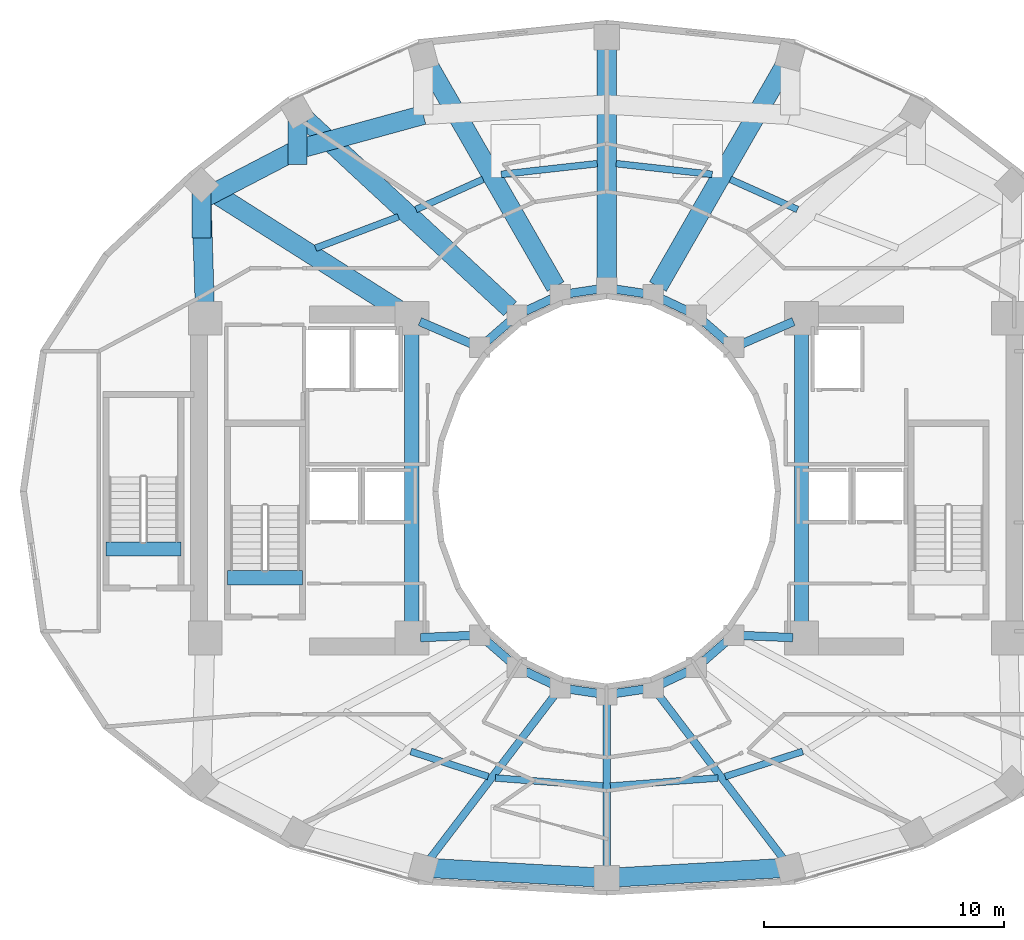
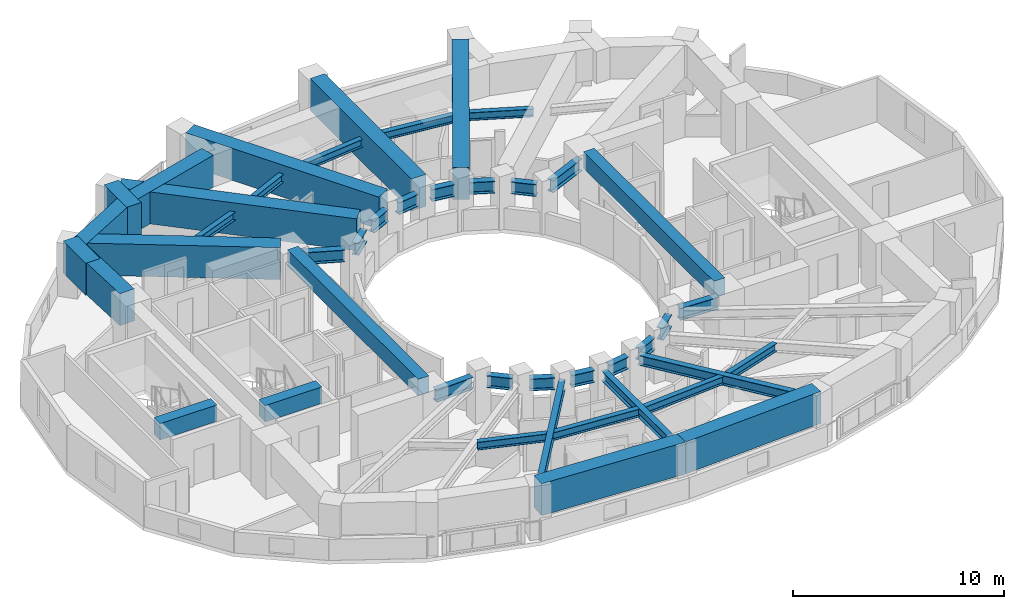
# One storey, part 3 of 16: 44 beams.
"""IFC4 building model written with IfcOpenShell, lengths in metres."""

from ifc_helpers import new_model, si_unit, direction, frame, origin, origin_2d, place, context, subcontext, project, spatial, rectangle, i_section, extrude, material, material_profile, profile_set, type_object, element, save


model = new_model("IFC4")

# Units and contexts
model_context = context("Model", 3, precision=1e-05, world=origin(), true_north=direction((0.0, 1.0)))
body_context = subcontext(model_context, "Body", "Model", "MODEL_VIEW")
ifc_project = project(units=[si_unit("LENGTHUNIT", "METRE"), si_unit("AREAUNIT", "SQUARE_METRE"), si_unit("VOLUMEUNIT", "CUBIC_METRE"), si_unit("PLANEANGLEUNIT", "RADIAN"), si_unit("MASSUNIT", "GRAM", prefix="KILO")], contexts=[model_context])

# Site, building, storey
site_placement = place(None, origin())
site = spatial("IfcSite", under=ifc_project, at=site_placement, CompositionType="ELEMENT")
building_placement = place(site_placement, origin())
building = spatial("IfcBuilding", under=site, at=building_placement, Name="Solvane Sanctuary Tower", CompositionType="ELEMENT")
storey_placement = place(building_placement, frame((0.0, 0.0, 119.699951171875)))
storey = spatial("IfcBuildingStorey", under=building, at=storey_placement, Name="L36", CompositionType="ELEMENT", Elevation=119.699951171875)

# Beams
ifc_material_1 = material(Name="Concrete C70/85", Category="concrete")
ifc_material_profile_1 = material_profile(ifc_material_1, rectangle(XDim=0.60009765625, YDim=0.949951171875, at=origin_2d()), Name="RC600X950")
ifc_profile_set_1 = profile_set([ifc_material_profile_1], Name="Concrete C70/85")
beam_type_1 = type_object("IfcBeamType", Name="Beam B-COUPLE RC600X950", PredefinedType="LINTEL", material=ifc_profile_set_1)
for number, where, z_axis, x_axis, name in (
    (1, (23.89990234375, 17.35009765625, 2.625), (0.0, 1.0, 0.0), (-1.0, 0.0, 0.0), "L36 West Core Coupling Lintel"),
    (2, (40.10009765625, 17.35009765625, 2.625), (0.0, 1.0, 0.0), (-1.0, 0.0, 0.0), "L36 East Core Coupling Lintel"),
):
    element("IfcBeam", number, at=place(storey_placement, frame(where, z_axis=z_axis, x_axis=x_axis)), inside=storey, type_object=beam_type_1, Name=name, PredefinedType="LINTEL", context=body_context, shape_type="SweptSolid", body=[
        extrude(rectangle(XDim=0.60009765625, YDim=0.949951171875, at=origin_2d()), origin(), (0.0, 0.0, 1.0), 12.39990234375),
    ])
for number, where, z_axis, x_axis, name in (
    (3, (16.22998046875, 19.399169921875, 2.625), (1.0, 0.0, 0.0), (0.0, 1.0, 0.0), "L36 ST-1 Stair Floor Landing Trimmer"),
    (4, (11.169921875, 20.59912109375, 2.625), (1.0, 0.0, 0.0), (0.0, 1.0, 0.0), "L36 ST-3 Stair Floor Landing Trimmer"),
):
    element("IfcBeam", number, at=place(storey_placement, frame(where, z_axis=z_axis, x_axis=x_axis)), inside=storey, type_object=beam_type_1, Name=name, PredefinedType="LINTEL", context=body_context, shape_type="SweptSolid", body=[
        extrude(rectangle(XDim=0.60009765625, YDim=0.949951171875, at=origin_2d()), origin(), (0.0, 0.0, 1.0), 3.1201171875),
    ])
ifc_material_2 = material(Name="Steel ASTM A992 Grade 50", Category="steel")
ifc_material_profile_2 = material_profile(ifc_material_2, i_section(OverallWidth=0.31494140625, OverallDepth=0.575927734375, WebThickness=0.01513671875, FlangeThickness=0.0244140625, FilletRadius=0.014892578125, at=origin_2d()), Name="W21X122")
ifc_profile_set_2 = profile_set([ifc_material_profile_2], Name="Steel ASTM A992 Grade 50")
beam_type_2 = type_object("IfcBeamType", Name="Beam B-RAD-Z2 W21X122", PredefinedType="BEAM", material=ifc_profile_set_2)
beam_1_placement = place(storey_placement, frame((29.8994140625, 14.605712890625, 2.31005859375), z_axis=(-0.605972515369, -0.795485581653, 0.0), x_axis=(0.795485581653, -0.605972515369, 0.0)))
element("IfcBeam", 5, at=beam_1_placement, inside=storey, type_object=beam_type_2, Name="L36 Radial Composite Floor Beam 10", PredefinedType="BEAM", context=body_context, shape_type="SweptSolid", body=[
    extrude(i_section(OverallWidth=0.31494140625, OverallDepth=0.575927734375, WebThickness=0.01513671875, FlangeThickness=0.0244140625, FilletRadius=0.014892578125, at=origin_2d()), origin(), (0.0, 0.0, 1.0), 8.84375),
])
beam_2_placement = place(storey_placement, frame((32.0, 14.260009765625, 2.31005859375), z_axis=(0.0, -1.0, 0.0), x_axis=(1.0, 0.0, 0.0)))
element("IfcBeam", 6, at=beam_2_placement, inside=storey, type_object=beam_type_2, Name="L36 Radial Composite Floor Beam 11", PredefinedType="BEAM", context=body_context, shape_type="SweptSolid", body=[
    extrude(i_section(OverallWidth=0.31494140625, OverallDepth=0.575927734375, WebThickness=0.01513671875, FlangeThickness=0.0244140625, FilletRadius=0.014892578125, at=origin_2d()), origin(), (0.0, 0.0, 1.0), 7.06005859375),
])
beam_3_placement = place(storey_placement, frame((34.1005859375, 14.605712890625, 2.31005859375), z_axis=(0.605972515369, -0.795485581653, 0.0), x_axis=(0.795485581653, 0.605972515369, 0.0)))
element("IfcBeam", 7, at=beam_3_placement, inside=storey, type_object=beam_type_2, Name="L36 Radial Composite Floor Beam 12", PredefinedType="BEAM", context=body_context, shape_type="SweptSolid", body=[
    extrude(i_section(OverallWidth=0.31494140625, OverallDepth=0.575927734375, WebThickness=0.01513671875, FlangeThickness=0.0244140625, FilletRadius=0.014892578125, at=origin_2d()), origin(), (0.0, 0.0, 1.0), 8.84375),
])
ifc_material_profile_3 = material_profile(ifc_material_2, i_section(OverallWidth=0.35498046875, OverallDepth=0.695068359375, WebThickness=0.015380859375, FlangeThickness=0.02490234375, FilletRadius=0.01806640625, at=origin_2d()), Name="W27X146")
ifc_profile_set_3 = profile_set([ifc_material_profile_3], Name="Steel ASTM A992 Grade 50")
beam_type_3 = type_object("IfcBeamType", Name="Beam B-RING-IN1 W27X146", PredefinedType="BEAM", material=ifc_profile_set_3)
beam_4_placement = place(storey_placement, frame((24.230712890625, 30.0576171875, 2.25048828125), z_axis=(0.918261456479, -0.3959746173, 0.0), x_axis=(0.3959746173, 0.918261456479, 0.0)))
element("IfcBeam", 8, at=beam_4_placement, inside=storey, type_object=beam_type_3, Name="L36 Inner Light-Well Ring Beam CW3-IC07", PredefinedType="BEAM", context=body_context, shape_type="SweptSolid", body=[
    extrude(i_section(OverallWidth=0.35498046875, OverallDepth=0.695068359375, WebThickness=0.015380859375, FlangeThickness=0.02490234375, FilletRadius=0.01806640625, at=origin_2d()), origin(), (0.0, 0.0, 1.0), 2.3212890625),
])
beam_5_placement = place(storey_placement, frame((27.02294921875, 29.241455078125, 2.25048828125), z_axis=(0.754317177099, 0.656510164684, 0.0), x_axis=(-0.656510164684, 0.754317177099, 0.0)))
element("IfcBeam", 9, at=beam_5_placement, inside=storey, type_object=beam_type_3, Name="L36 Inner Light-Well Ring Beam IC07-IC06", PredefinedType="BEAM", context=body_context, shape_type="SweptSolid", body=[
    extrude(i_section(OverallWidth=0.35498046875, OverallDepth=0.695068359375, WebThickness=0.015380859375, FlangeThickness=0.02490234375, FilletRadius=0.01806640625, at=origin_2d()), origin(), (0.0, 0.0, 1.0), 1.258056640625),
])
beam_6_placement = place(storey_placement, frame((28.62744140625, 30.494384765625, 2.25048828125), z_axis=(0.905044882818, 0.425316070804, 0.0), x_axis=(-0.425316070804, 0.905044882818, 0.0)))
element("IfcBeam", 10, at=beam_6_placement, inside=storey, type_object=beam_type_3, Name="L36 Inner Light-Well Ring Beam IC06-IC05", PredefinedType="BEAM", context=body_context, shape_type="SweptSolid", body=[
    extrude(i_section(OverallWidth=0.35498046875, OverallDepth=0.695068359375, WebThickness=0.015380859375, FlangeThickness=0.02490234375, FilletRadius=0.01806640625, at=origin_2d()), origin(), (0.0, 0.0, 1.0), 1.197998046875),
])
for number, where, z_axis, x_axis, name in (
    (11, (30.4599609375, 31.22998046875, 2.25048828125), (0.989034751611, 0.147682971619, 0.0), (-0.147682971619, 0.989034751611, 0.0), "L36 Inner Light-Well Ring Beam IC05-IC04"),
    (12, (32.390625, 31.401611328125, 2.25048828125), (0.989034751611, -0.147682971619, 0.0), (0.147682971619, 0.989034751611, 0.0), "L36 Inner Light-Well Ring Beam IC04-IC03"),
):
    element("IfcBeam", number, at=place(storey_placement, frame(where, z_axis=z_axis, x_axis=x_axis)), inside=storey, type_object=beam_type_3, Name=name, PredefinedType="BEAM", context=body_context, shape_type="SweptSolid", body=[
        extrude(i_section(OverallWidth=0.35498046875, OverallDepth=0.695068359375, WebThickness=0.015380859375, FlangeThickness=0.02490234375, FilletRadius=0.01806640625, at=origin_2d()), origin(), (0.0, 0.0, 1.0), 1.162109375),
    ])
beam_7_placement = place(storey_placement, frame((34.288330078125, 31.00390625, 2.25048828125), z_axis=(0.905044882818, -0.425316070804, 0.0), x_axis=(0.425316070804, 0.905044882818, 0.0)))
element("IfcBeam", 13, at=beam_7_placement, inside=storey, type_object=beam_type_3, Name="L36 Inner Light-Well Ring Beam IC03-IC02", PredefinedType="BEAM", context=body_context, shape_type="SweptSolid", body=[
    extrude(i_section(OverallWidth=0.35498046875, OverallDepth=0.695068359375, WebThickness=0.015380859375, FlangeThickness=0.02490234375, FilletRadius=0.01806640625, at=origin_2d()), origin(), (0.0, 0.0, 1.0), 1.197998046875),
])
beam_8_placement = place(storey_placement, frame((36.028076171875, 30.0673828125, 2.25048828125), z_axis=(0.754317177099, -0.656510164684, 0.0), x_axis=(0.656510164684, 0.754317177099, 0.0)))
element("IfcBeam", 14, at=beam_8_placement, inside=storey, type_object=beam_type_3, Name="L36 Inner Light-Well Ring Beam IC02-IC01", PredefinedType="BEAM", context=body_context, shape_type="SweptSolid", body=[
    extrude(i_section(OverallWidth=0.35498046875, OverallDepth=0.695068359375, WebThickness=0.015380859375, FlangeThickness=0.02490234375, FilletRadius=0.01806640625, at=origin_2d()), origin(), (0.0, 0.0, 1.0), 1.258056640625),
])
beam_9_placement = place(storey_placement, frame((37.6376953125, 29.138427734375, 2.25048828125), z_axis=(0.918261456479, 0.3959746173, 0.0), x_axis=(-0.3959746173, 0.918261456479, 0.0)))
element("IfcBeam", 15, at=beam_9_placement, inside=storey, type_object=beam_type_3, Name="L36 Inner Light-Well Ring Beam IC01-CE4", PredefinedType="BEAM", context=body_context, shape_type="SweptSolid", body=[
    extrude(i_section(OverallWidth=0.35498046875, OverallDepth=0.695068359375, WebThickness=0.015380859375, FlangeThickness=0.02490234375, FilletRadius=0.01806640625, at=origin_2d()), origin(), (0.0, 0.0, 1.0), 2.3212890625),
])
beam_10_placement = place(storey_placement, frame((24.259765625, 16.9150390625, 2.25048828125), z_axis=(0.999130007788, 0.041704047018, 0.0), x_axis=(-0.041704047018, 0.999130007788, 0.0)))
element("IfcBeam", 16, at=beam_10_placement, inside=storey, type_object=beam_type_3, Name="L36 Inner Light-Well Ring Beam CW2-IC08", PredefinedType="BEAM", context=body_context, shape_type="SweptSolid", body=[
    extrude(i_section(OverallWidth=0.35498046875, OverallDepth=0.695068359375, WebThickness=0.015380859375, FlangeThickness=0.02490234375, FilletRadius=0.01806640625, at=origin_2d()), origin(), (0.0, 0.0, 1.0), 2.072265625),
])
beam_11_placement = place(storey_placement, frame((27.02294921875, 16.758544921875, 2.25048828125), z_axis=(0.754317177099, -0.656510164684, 0.0), x_axis=(0.656510164684, 0.754317177099, 0.0)))
element("IfcBeam", 17, at=beam_11_placement, inside=storey, type_object=beam_type_3, Name="L36 Inner Light-Well Ring Beam IC08-IC09", PredefinedType="BEAM", context=body_context, shape_type="SweptSolid", body=[
    extrude(i_section(OverallWidth=0.35498046875, OverallDepth=0.695068359375, WebThickness=0.015380859375, FlangeThickness=0.02490234375, FilletRadius=0.01806640625, at=origin_2d()), origin(), (0.0, 0.0, 1.0), 1.258056640625),
])
beam_12_placement = place(storey_placement, frame((28.62744140625, 15.505615234375, 2.25048828125), z_axis=(0.905044882818, -0.425316070804, 0.0), x_axis=(0.425316070804, 0.905044882818, 0.0)))
element("IfcBeam", 18, at=beam_12_placement, inside=storey, type_object=beam_type_3, Name="L36 Inner Light-Well Ring Beam IC09-IC10", PredefinedType="BEAM", context=body_context, shape_type="SweptSolid", body=[
    extrude(i_section(OverallWidth=0.35498046875, OverallDepth=0.695068359375, WebThickness=0.015380859375, FlangeThickness=0.02490234375, FilletRadius=0.01806640625, at=origin_2d()), origin(), (0.0, 0.0, 1.0), 1.197998046875),
])
for number, where, z_axis, x_axis, name in (
    (19, (30.4599609375, 14.77001953125, 2.25048828125), (0.989034751611, -0.147682971619, 0.0), (0.147682971619, 0.989034751611, 0.0), "L36 Inner Light-Well Ring Beam IC10-IC11"),
    (20, (32.390625, 14.598388671875, 2.25048828125), (0.989034751611, 0.147682971619, 0.0), (-0.147682971619, 0.989034751611, 0.0), "L36 Inner Light-Well Ring Beam IC11-IC12"),
):
    element("IfcBeam", number, at=place(storey_placement, frame(where, z_axis=z_axis, x_axis=x_axis)), inside=storey, type_object=beam_type_3, Name=name, PredefinedType="BEAM", context=body_context, shape_type="SweptSolid", body=[
        extrude(i_section(OverallWidth=0.35498046875, OverallDepth=0.695068359375, WebThickness=0.015380859375, FlangeThickness=0.02490234375, FilletRadius=0.01806640625, at=origin_2d()), origin(), (0.0, 0.0, 1.0), 1.162109375),
    ])
beam_13_placement = place(storey_placement, frame((34.288330078125, 14.99609375, 2.25048828125), z_axis=(0.905044882818, 0.425316070804, 0.0), x_axis=(-0.425316070804, 0.905044882818, 0.0)))
element("IfcBeam", 21, at=beam_13_placement, inside=storey, type_object=beam_type_3, Name="L36 Inner Light-Well Ring Beam IC12-IC13", PredefinedType="BEAM", context=body_context, shape_type="SweptSolid", body=[
    extrude(i_section(OverallWidth=0.35498046875, OverallDepth=0.695068359375, WebThickness=0.015380859375, FlangeThickness=0.02490234375, FilletRadius=0.01806640625, at=origin_2d()), origin(), (0.0, 0.0, 1.0), 1.197998046875),
])
beam_14_placement = place(storey_placement, frame((36.028076171875, 15.9326171875, 2.25048828125), z_axis=(0.754317177099, 0.656510164684, 0.0), x_axis=(-0.656510164684, 0.754317177099, 0.0)))
element("IfcBeam", 22, at=beam_14_placement, inside=storey, type_object=beam_type_3, Name="L36 Inner Light-Well Ring Beam IC13-IC14", PredefinedType="BEAM", context=body_context, shape_type="SweptSolid", body=[
    extrude(i_section(OverallWidth=0.35498046875, OverallDepth=0.695068359375, WebThickness=0.015380859375, FlangeThickness=0.02490234375, FilletRadius=0.01806640625, at=origin_2d()), origin(), (0.0, 0.0, 1.0), 1.258056640625),
])
beam_15_placement = place(storey_placement, frame((37.669677734375, 17.00146484375, 2.25048828125), z_axis=(0.999130007788, -0.041704047018, 0.0), x_axis=(0.041704047018, 0.999130007788, 0.0)))
element("IfcBeam", 23, at=beam_15_placement, inside=storey, type_object=beam_type_3, Name="L36 Inner Light-Well Ring Beam IC14-CE1", PredefinedType="BEAM", context=body_context, shape_type="SweptSolid", body=[
    extrude(i_section(OverallWidth=0.35498046875, OverallDepth=0.695068359375, WebThickness=0.015380859375, FlangeThickness=0.02490234375, FilletRadius=0.01806640625, at=origin_2d()), origin(), (0.0, 0.0, 1.0), 2.072265625),
])
ifc_material_profile_4 = material_profile(ifc_material_2, i_section(OverallWidth=0.280029296875, OverallDepth=0.462890625, WebThickness=0.0107421875, FlangeThickness=0.017333984375, FilletRadius=0.013916015625, at=origin_2d()), Name="W18X76")
ifc_profile_set_4 = profile_set([ifc_material_profile_4], Name="Steel ASTM A992 Grade 50")
beam_type_4 = type_object("IfcBeamType", Name="Beam B-SEC-JOIST W18X76", PredefinedType="JOIST", material=ifc_profile_set_4)
beam_16_placement = place(storey_placement, frame((19.892822265625, 33.111328125, 2.366455078125), z_axis=(0.935089219038, 0.354412404465, 0.0), x_axis=(-0.354412404465, 0.935089219038, 0.0)))
element("IfcBeam", 24, at=beam_16_placement, inside=storey, type_object=beam_type_4, Name="L36 Secondary Circumferential Joist 07-06", PredefinedType="JOIST", context=body_context, shape_type="SweptSolid", body=[
    extrude(i_section(OverallWidth=0.280029296875, OverallDepth=0.462890625, WebThickness=0.0107421875, FlangeThickness=0.017333984375, FilletRadius=0.013916015625, at=origin_2d()), origin(), (0.0, 0.0, 1.0), 3.6826171875),
])
beam_17_placement = place(storey_placement, frame((24.066162109375, 34.71826171875, 2.366455078125), z_axis=(0.912067614081, 0.41003983629, 0.0), x_axis=(-0.41003983629, 0.912067614081, 0.0)))
element("IfcBeam", 25, at=beam_17_placement, inside=storey, type_object=beam_type_4, Name="L36 Secondary Circumferential Joist 06-05", PredefinedType="JOIST", context=body_context, shape_type="SweptSolid", body=[
    extrude(i_section(OverallWidth=0.280029296875, OverallDepth=0.462890625, WebThickness=0.0107421875, FlangeThickness=0.017333984375, FilletRadius=0.013916015625, at=origin_2d()), origin(), (0.0, 0.0, 1.0), 3.062744140625),
])
for number, where, z_axis, x_axis, name in (
    (26, (27.612548828125, 36.1796875, 2.366455078125), (0.993810933944, 0.111084776519, 0.0), (-0.111084776519, 0.993810933944, 0.0), "L36 Secondary Circumferential Joist 05-04"),
    (27, (32.392578125, 36.626220703125, 2.366455078125), (0.993810933944, -0.111084776519, 0.0), (0.111084776519, 0.993810933944, 0.0), "L36 Secondary Circumferential Joist 04-03"),
):
    element("IfcBeam", number, at=place(storey_placement, frame(where, z_axis=z_axis, x_axis=x_axis)), inside=storey, type_object=beam_type_4, Name=name, PredefinedType="JOIST", context=body_context, shape_type="SweptSolid", body=[
        extrude(i_section(OverallWidth=0.280029296875, OverallDepth=0.462890625, WebThickness=0.0107421875, FlangeThickness=0.017333984375, FilletRadius=0.013916015625, at=origin_2d()), origin(), (0.0, 0.0, 1.0), 4.019775390625),
    ])
beam_18_placement = place(storey_placement, frame((37.140380859375, 35.97412109375, 2.366455078125), z_axis=(0.912067614081, -0.41003983629, 0.0), x_axis=(0.41003983629, 0.912067614081, 0.0)))
element("IfcBeam", 28, at=beam_18_placement, inside=storey, type_object=beam_type_4, Name="L36 Secondary Circumferential Joist 03-02", PredefinedType="JOIST", context=body_context, shape_type="SweptSolid", body=[
    extrude(i_section(OverallWidth=0.280029296875, OverallDepth=0.462890625, WebThickness=0.0107421875, FlangeThickness=0.017333984375, FilletRadius=0.013916015625, at=origin_2d()), origin(), (0.0, 0.0, 1.0), 3.062744140625),
])
beam_19_placement = place(storey_placement, frame((23.850830078125, 12.180908203125, 2.366455078125), z_axis=(0.951216534175, -0.308524075416, 0.0), x_axis=(0.308524075416, 0.951216534175, 0.0)))
element("IfcBeam", 29, at=beam_19_placement, inside=storey, type_object=beam_type_4, Name="L36 Secondary Circumferential Joist 09-10", PredefinedType="JOIST", context=body_context, shape_type="SweptSolid", body=[
    extrude(i_section(OverallWidth=0.280029296875, OverallDepth=0.462890625, WebThickness=0.0107421875, FlangeThickness=0.017333984375, FilletRadius=0.013916015625, at=origin_2d()), origin(), (0.0, 0.0, 1.0), 3.38916015625),
])
for number, where, z_axis, x_axis, name in (
    (30, (27.3720703125, 11.07666015625, 2.366455078125), (0.997207316227, -0.074683120339, 0.0), (0.074683120339, 0.997207316227, 0.0), "L36 Secondary Circumferential Joist 10-11"),
    (31, (32.152099609375, 10.741455078125, 2.366455078125), (0.997207316227, 0.074683120339, 0.0), (-0.074683120339, 0.997207316227, 0.0), "L36 Secondary Circumferential Joist 11-12"),
):
    element("IfcBeam", number, at=place(storey_placement, frame(where, z_axis=z_axis, x_axis=x_axis)), inside=storey, type_object=beam_type_4, Name=name, PredefinedType="JOIST", context=body_context, shape_type="SweptSolid", body=[
        extrude(i_section(OverallWidth=0.280029296875, OverallDepth=0.462890625, WebThickness=0.0107421875, FlangeThickness=0.017333984375, FilletRadius=0.013916015625, at=origin_2d()), origin(), (0.0, 0.0, 1.0), 4.48828125),
    ])
beam_20_placement = place(storey_placement, frame((36.92529296875, 11.13525390625, 2.366455078125), z_axis=(0.951216534175, 0.308524075416, 0.0), x_axis=(-0.308524075416, 0.951216534175, 0.0)))
element("IfcBeam", 32, at=beam_20_placement, inside=storey, type_object=beam_type_4, Name="L36 Secondary Circumferential Joist 12-13", PredefinedType="JOIST", context=body_context, shape_type="SweptSolid", body=[
    extrude(i_section(OverallWidth=0.280029296875, OverallDepth=0.462890625, WebThickness=0.0107421875, FlangeThickness=0.017333984375, FilletRadius=0.013916015625, at=origin_2d()), origin(), (0.0, 0.0, 1.0), 3.38916015625),
])
ifc_material_profile_5 = material_profile(ifc_material_1, rectangle(XDim=0.800048828125, YDim=1.85009765625, at=origin_2d()), Name="RC800X1850")
ifc_profile_set_5 = profile_set([ifc_material_profile_5], Name="Concrete C70/85")
beam_type_5 = type_object("IfcBeamType", Name="Beam B-XFER-BLK RC800X1850", PredefinedType="BEAM", material=ifc_profile_set_5)
beam_21_placement = place(storey_placement, frame((34.12744140625, 31.514404296875, 2.175048828125), z_axis=(0.497811096762, 0.867285484682, 0.0), x_axis=(-0.867285484682, 0.497811096762, 0.0)))
element("IfcBeam", 33, at=beam_21_placement, inside=storey, type_object=beam_type_5, Name="L36 Block-Shift Radial Transfer Girder 03A", PredefinedType="BEAM", context=body_context, shape_type="SweptSolid", body=[
    extrude(rectangle(XDim=0.800048828125, YDim=1.85009765625, at=origin_2d()), origin(), (0.0, 0.0, 1.0), 10.607421875),
])
beam_22_placement = place(storey_placement, frame((32.0, 31.85498046875, 2.175048828125), z_axis=(0.0, 1.0, 0.0), x_axis=(-1.0, 0.0, 0.0)))
element("IfcBeam", 34, at=beam_22_placement, inside=storey, type_object=beam_type_5, Name="L36 Block-Shift Radial Transfer Girder 04A", PredefinedType="BEAM", context=body_context, shape_type="SweptSolid", body=[
    extrude(rectangle(XDim=0.800048828125, YDim=1.85009765625, at=origin_2d()), origin(), (0.0, 0.0, 1.0), 9.6201171875),
])
beam_23_placement = place(storey_placement, frame((29.87255859375, 31.514404296875, 2.175048828125), z_axis=(-0.497811096762, 0.867285484682, 0.0), x_axis=(-0.867285484682, -0.497811096762, 0.0)))
element("IfcBeam", 35, at=beam_23_placement, inside=storey, type_object=beam_type_5, Name="L36 Block-Shift Radial Transfer Girder 05A", PredefinedType="BEAM", context=body_context, shape_type="SweptSolid", body=[
    extrude(rectangle(XDim=0.800048828125, YDim=1.85009765625, at=origin_2d()), origin(), (0.0, 0.0, 1.0), 10.607421875),
])
beam_24_placement = place(storey_placement, frame((27.980224609375, 30.59521484375, 2.175048828125), z_axis=(-0.733470457191, 0.679721331449, 0.0), x_axis=(-0.679721331449, -0.733470457191, 0.0)))
element("IfcBeam", 36, at=beam_24_placement, inside=storey, type_object=beam_type_5, Name="L36 Block-Shift Radial Transfer Girder 06A", PredefinedType="BEAM", context=body_context, shape_type="SweptSolid", body=[
    extrude(rectangle(XDim=0.800048828125, YDim=1.85009765625, at=origin_2d()), origin(), (0.0, 0.0, 1.0), 11.60546875),
])
beam_25_placement = place(storey_placement, frame((19.1416015625, 38.736083984375, 2.175048828125), z_axis=(0.0, -1.0, 0.0), x_axis=(1.0, 0.0, 0.0)))
element("IfcBeam", 37, at=beam_25_placement, inside=storey, type_object=beam_type_5, Name="L36 Block-Shift Transfer Tie 06B", PredefinedType="BEAM", context=body_context, shape_type="SweptSolid", body=[
    extrude(rectangle(XDim=0.800048828125, YDim=1.85009765625, at=origin_2d()), origin(), (0.0, 0.0, 1.0), 2.14990234375),
])
beam_26_placement = place(storey_placement, frame((23.595947265625, 30.392578125, 2.175048828125), z_axis=(-0.844858725229, 0.534989471303, 0.0), x_axis=(-0.534989471303, -0.844858725229, 0.0)))
element("IfcBeam", 38, at=beam_26_placement, inside=storey, type_object=beam_type_5, Name="L36 Block-Shift Radial Transfer Girder 07A", PredefinedType="BEAM", context=body_context, shape_type="SweptSolid", body=[
    extrude(rectangle(XDim=0.800048828125, YDim=1.85009765625, at=origin_2d()), origin(), (0.0, 0.0, 1.0), 9.555419921875),
])
beam_27_placement = place(storey_placement, frame((15.14697265625, 35.69287109375, 2.175048828125), z_axis=(0.0, -1.0, 0.0), x_axis=(1.0, 0.0, 0.0)))
element("IfcBeam", 39, at=beam_27_placement, inside=storey, type_object=beam_type_5, Name="L36 Block-Shift Transfer Tie 07B", PredefinedType="BEAM", context=body_context, shape_type="SweptSolid", body=[
    extrude(rectangle(XDim=0.800048828125, YDim=1.85009765625, at=origin_2d()), origin(), (0.0, 0.0, 1.0), 2.150146484375),
])
beam_28_placement = place(storey_placement, frame((15.288818359375, 30.559814453125, 2.175048828125), z_axis=(-0.030966851139, 0.999520412063, 0.0), x_axis=(-0.999520412063, -0.030966851139, 0.0)))
element("IfcBeam", 40, at=beam_28_placement, inside=storey, type_object=beam_type_5, Name="L36 Perimeter Step Transfer Ring CW4-NTC07", PredefinedType="BEAM", context=body_context, shape_type="SweptSolid", body=[
    extrude(rectangle(XDim=0.800048828125, YDim=1.85009765625, at=origin_2d()), origin(), (0.0, 0.0, 1.0), 4.58056640625),
])
beam_29_placement = place(storey_placement, frame((15.14697265625, 35.13818359375, 2.175048828125), z_axis=(0.887022336415, 0.46172651505, 0.0), x_axis=(-0.46172651505, 0.887022336415, 0.0)))
element("IfcBeam", 41, at=beam_29_placement, inside=storey, type_object=beam_type_5, Name="L36 Perimeter Step Transfer Ring NTC07-NTC06", PredefinedType="BEAM", context=body_context, shape_type="SweptSolid", body=[
    extrude(rectangle(XDim=0.800048828125, YDim=1.85009765625, at=origin_2d()), origin(), (0.0, 0.0, 1.0), 4.50341796875),
])
beam_30_placement = place(storey_placement, frame((19.1416015625, 37.217529296875, 2.175048828125), z_axis=(0.964365802426, 0.264572483661, 0.0), x_axis=(-0.264572483661, 0.964365802426, 0.0)))
element("IfcBeam", 42, at=beam_30_placement, inside=storey, type_object=beam_type_5, Name="L36 Perimeter Step Transfer Ring NTC06-NTC05", PredefinedType="BEAM", context=body_context, shape_type="SweptSolid", body=[
    extrude(rectangle(XDim=0.800048828125, YDim=1.85009765625, at=origin_2d()), origin(), (0.0, 0.0, 1.0), 5.422119140625),
])
for number, where, z_axis, x_axis, name in (
    (43, (24.37060546875, 7.347900390625, 2.175048828125), (0.998430322971, -0.056007947397, 0.0), (0.056007947397, 0.998430322971, 0.0), "L36 Perimeter Step Transfer Ring NTC10-NTC11"),
    (44, (32.0, 6.919921875, 2.175048828125), (0.998430322971, 0.056007947397, 0.0), (-0.056007947397, 0.998430322971, 0.0), "L36 Perimeter Step Transfer Ring NTC11-NTC12"),
):
    element("IfcBeam", number, at=place(storey_placement, frame(where, z_axis=z_axis, x_axis=x_axis)), inside=storey, type_object=beam_type_5, Name=name, PredefinedType="BEAM", context=body_context, shape_type="SweptSolid", body=[
        extrude(rectangle(XDim=0.800048828125, YDim=1.85009765625, at=origin_2d()), origin(), (0.0, 0.0, 1.0), 7.641357421875),
    ])

save(model, "model.ifc")
